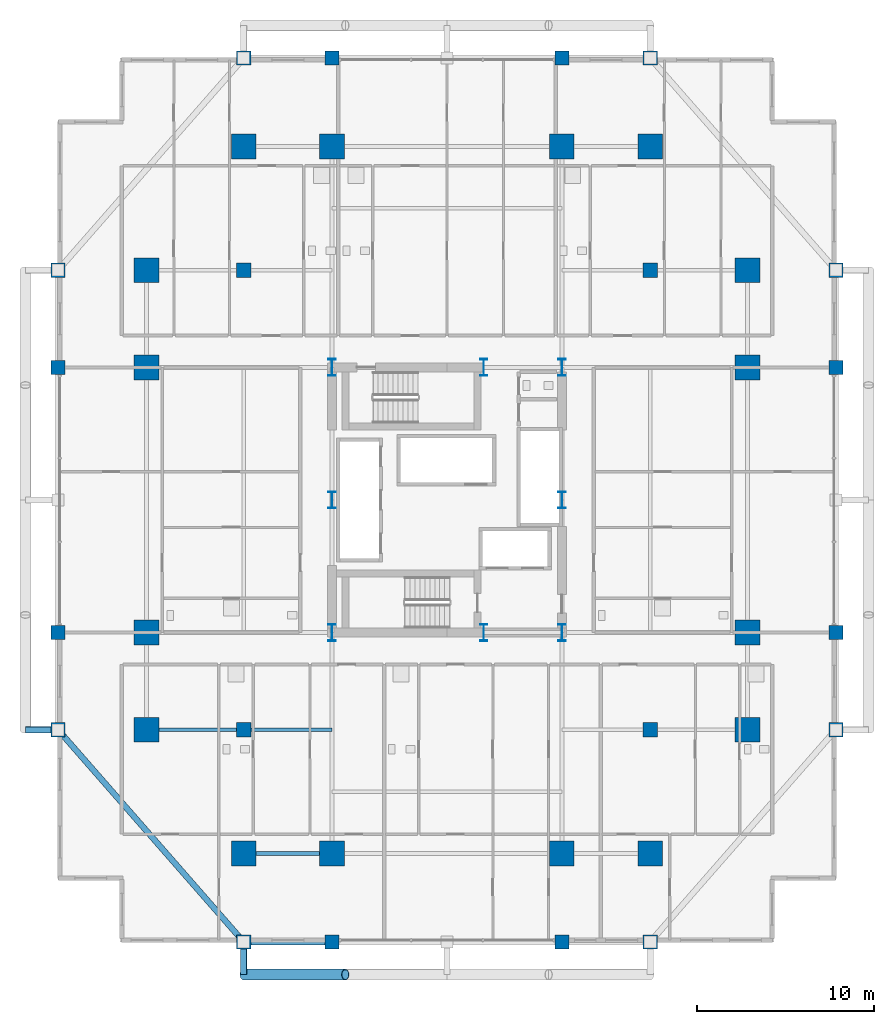
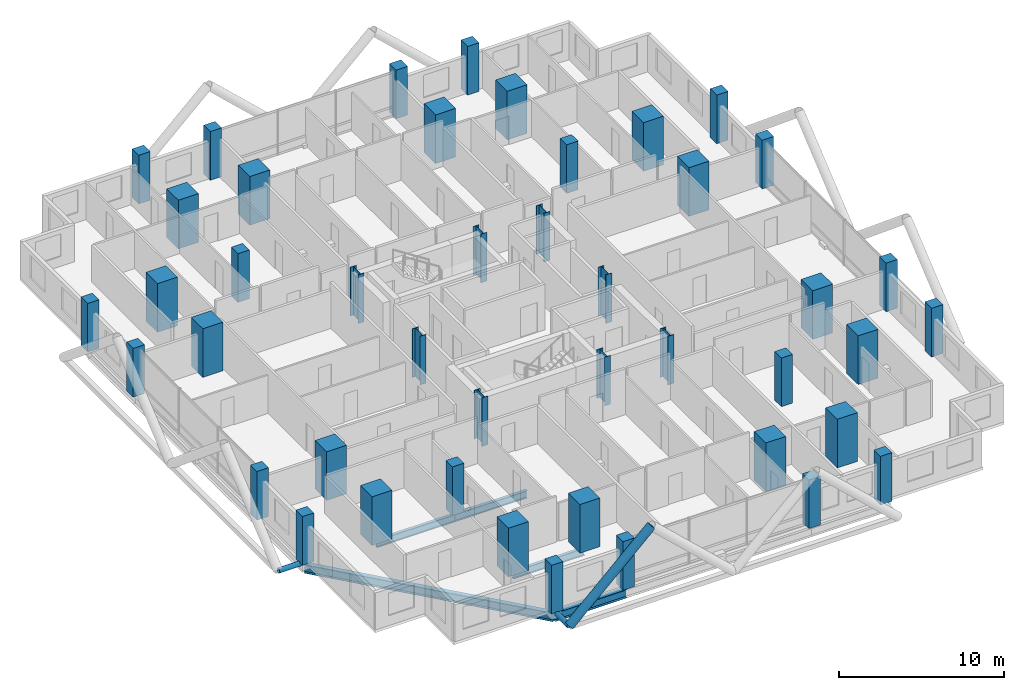
# One storey, part 1 of 28: 44 columns, 5 beams, 3 members.
"""IFC4 building model written with IfcOpenShell, lengths in metres."""

from ifc_helpers import new_model, si_unit, direction, frame, origin, origin_2d, place, context, subcontext, project, spatial, rectangle, hollow_circle, i_section, extrude, material, material_profile, profile_set, type_object, element, save


model = new_model("IFC4")

# Units and contexts
model_context = context("Model", 3, precision=1e-05, world=origin(), true_north=direction((0.0, 1.0)))
body_context = subcontext(model_context, "Body", "Model", "MODEL_VIEW")
ifc_project = project(units=[si_unit("LENGTHUNIT", "METRE"), si_unit("AREAUNIT", "SQUARE_METRE"), si_unit("VOLUMEUNIT", "CUBIC_METRE"), si_unit("PLANEANGLEUNIT", "RADIAN"), si_unit("MASSUNIT", "GRAM", prefix="KILO")], contexts=[model_context])

# Site, building, storey
site_placement = place(None, origin())
site = spatial("IfcSite", under=ifc_project, at=site_placement, CompositionType="ELEMENT")
building_placement = place(site_placement, origin())
building = spatial("IfcBuilding", under=site, at=building_placement, Name="Barlavira Tower and Art Museum", CompositionType="ELEMENT")
storey_placement = place(building_placement, frame((0.0, 0.0, 39.60009765625)))
storey = spatial("IfcBuildingStorey", under=building, at=storey_placement, Name="L08", CompositionType="ELEMENT", Elevation=39.60009765625)

# Columns
ifc_material_1 = material(Name="Steel S355", Category="steel")
ifc_material_profile_1 = material_profile(ifc_material_1, i_section(OverallWidth=0.419921875, OverallDepth=0.9599609375, WebThickness=0.02197265625, FlangeThickness=0.033935546875, at=origin_2d()), Name="W920x387.0")
ifc_profile_set_1 = profile_set([ifc_material_profile_1], Name="Steel S355")
column_type_1 = type_object("IfcColumnType", Name="Core Composite Column W920x387 Steel S355", PredefinedType="COLUMN", material=ifc_profile_set_1)
for number, where, z_axis, x_axis, name in (
    (1, (-6.5, -7.5, 0.0), (0.0, 0.0, 1.0), (1.0, 0.0, 0.0), "L08 Column CC-L08-C1"),
    (2, (2.080078125, -7.5, 0.0), (0.0, 0.0, 1.0), (1.0, 0.0, 0.0), "L08 Column CC-L08-C2"),
    (3, (6.5, -7.5, 0.0), (0.0, 0.0, 1.0), (1.0, 0.0, 0.0), "L08 Column CC-L08-C3"),
    (4, (-6.5, 0.0, 0.0), (0.0, 0.0, 1.0), (1.0, 0.0, 0.0), "L08 Column CC-L08-C4"),
    (5, (6.5, 0.0, 0.0), (0.0, 0.0, 1.0), (1.0, 0.0, 0.0), "L08 Column CC-L08-C5"),
    (6, (-6.5, 7.5, 0.0), (0.0, 0.0, 1.0), (1.0, 0.0, 0.0), "L08 Column CC-L08-C6"),
    (7, (2.080078125, 7.5, 0.0), (0.0, 0.0, 1.0), (1.0, 0.0, 0.0), "L08 Column CC-L08-C7"),
    (8, (6.5, 7.5, 0.0), (0.0, 0.0, 1.0), (1.0, 0.0, 0.0), "L08 Column CC-L08-C8"),
):
    element("IfcColumn", number, at=place(storey_placement, frame(where, z_axis=z_axis, x_axis=x_axis)), inside=storey, type_object=column_type_1, Name=name, PredefinedType="COLUMN", context=body_context, shape_type="SweptSolid", body=[
        extrude(i_section(OverallWidth=0.419921875, OverallDepth=0.9599609375, WebThickness=0.02197265625, FlangeThickness=0.033935546875, at=origin_2d()), origin(), (0.0, 0.0, 1.0), 3.599853515625),
    ])
ifc_material_2 = material(Name="Concrete C60", Category="concrete")
ifc_material_profile_2 = material_profile(ifc_material_2, rectangle(XDim=1.39990234375, YDim=1.39990234375, at=origin_2d()), Name="RC-MCOL 1400x1400")
ifc_profile_set_2 = profile_set([ifc_material_profile_2], Name="Concrete C60")
column_type_2 = type_object("IfcColumnType", Name="Perimeter Mega Column 1400x1400 Concrete C60", PredefinedType="USERDEFINED", material=ifc_profile_set_2)
for number, where, z_axis, x_axis, name in (
    (9, (-11.5, -20.0, 0.0), (0.0, 0.0, 1.0), (1.0, 0.0, 0.0), "L08 Column MC-L08-M01"),
    (10, (-6.5, -20.0, 0.0), (0.0, 0.0, 1.0), (1.0, 0.0, 0.0), "L08 Column MC-L08-M02"),
    (11, (6.5, -20.0, 0.0), (0.0, 0.0, 1.0), (1.0, 0.0, 0.0), "L08 Column MC-L08-M03"),
    (12, (11.5, -20.0, 0.0), (0.0, 0.0, 1.0), (1.0, 0.0, 0.0), "L08 Column MC-L08-M04"),
    (13, (17.0, -13.0, 0.0), (0.0, 0.0, 1.0), (1.0, 0.0, 0.0), "L08 Column MC-L08-M05"),
    (14, (17.0, -7.5, 0.0), (0.0, 0.0, 1.0), (1.0, 0.0, 0.0), "L08 Column MC-L08-M06"),
    (15, (17.0, 7.5, 0.0), (0.0, 0.0, 1.0), (1.0, 0.0, 0.0), "L08 Column MC-L08-M07"),
    (16, (17.0, 13.0, 0.0), (0.0, 0.0, 1.0), (1.0, 0.0, 0.0), "L08 Column MC-L08-M08"),
    (17, (11.5, 20.0, 0.0), (0.0, 0.0, 1.0), (1.0, 0.0, 0.0), "L08 Column MC-L08-M09"),
    (18, (6.5, 20.0, 0.0), (0.0, 0.0, 1.0), (1.0, 0.0, 0.0), "L08 Column MC-L08-M10"),
    (19, (-6.5, 20.0, 0.0), (0.0, 0.0, 1.0), (1.0, 0.0, 0.0), "L08 Column MC-L08-M11"),
    (20, (-11.5, 20.0, 0.0), (0.0, 0.0, 1.0), (1.0, 0.0, 0.0), "L08 Column MC-L08-M12"),
    (21, (-17.0, 13.0, 0.0), (0.0, 0.0, 1.0), (1.0, 0.0, 0.0), "L08 Column MC-L08-M13"),
    (22, (-17.0, 7.5, 0.0), (0.0, 0.0, 1.0), (1.0, 0.0, 0.0), "L08 Column MC-L08-M14"),
    (23, (-17.0, -7.5, 0.0), (0.0, 0.0, 1.0), (1.0, 0.0, 0.0), "L08 Column MC-L08-M15"),
    (24, (-17.0, -13.0, 0.0), (0.0, 0.0, 1.0), (1.0, 0.0, 0.0), "L08 Column MC-L08-M16"),
):
    element("IfcColumn", number, at=place(storey_placement, frame(where, z_axis=z_axis, x_axis=x_axis)), inside=storey, type_object=column_type_2, Name=name, ObjectType="MEGA COLUMN", PredefinedType="USERDEFINED", context=body_context, shape_type="SweptSolid", body=[
        extrude(rectangle(XDim=1.39990234375, YDim=1.39990234375, at=origin_2d()), origin(), (0.0, 0.0, 1.0), 3.599853515625),
    ])
ifc_material_3 = material(Name="Concrete C50", Category="concrete")
ifc_material_profile_3 = material_profile(ifc_material_3, rectangle(XDim=0.800048828125, YDim=0.800048828125, at=origin_2d()), Name="RC-COL 800x800")
ifc_profile_set_3 = profile_set([ifc_material_profile_3], Name="Concrete C50")
column_type_3 = type_object("IfcColumnType", Name="Podium Frame Column 800x800 Concrete C50", PredefinedType="COLUMN", material=ifc_profile_set_3)
for number, where, z_axis, x_axis, name in (
    (25, (-11.5, -13.0, 0.0), (0.0, 0.0, 1.0), (1.0, 0.0, 0.0), "L08 Column CI-L08-I1"),
    (26, (11.5, -13.0, 0.0), (0.0, 0.0, 1.0), (1.0, 0.0, 0.0), "L08 Column CI-L08-I2"),
    (27, (-11.5, 13.0, 0.0), (0.0, 0.0, 1.0), (1.0, 0.0, 0.0), "L08 Column CI-L08-I3"),
    (28, (11.5, 13.0, 0.0), (0.0, 0.0, 1.0), (1.0, 0.0, 0.0), "L08 Column CI-L08-I4"),
    (29, (-11.5, -25.0, 0.0), (0.0, 0.0, 1.0), (1.0, 0.0, 0.0), "L08 Column CZ1-L08-N01"),
    (30, (-6.5, -25.0, 0.0), (0.0, 0.0, 1.0), (1.0, 0.0, 0.0), "L08 Column CZ1-L08-N02"),
    (31, (6.5, -25.0, 0.0), (0.0, 0.0, 1.0), (1.0, 0.0, 0.0), "L08 Column CZ1-L08-N02B"),
    (32, (11.5, -25.0, 0.0), (0.0, 0.0, 1.0), (1.0, 0.0, 0.0), "L08 Column CZ1-L08-N03"),
    (33, (-22.0, -13.0, 0.0), (0.0, 0.0, 1.0), (1.0, 0.0, 0.0), "L08 Column CZ1-L08-N04"),
    (34, (-22.0, -7.5, 0.0), (0.0, 0.0, 1.0), (1.0, 0.0, 0.0), "L08 Column CZ1-L08-N05"),
    (35, (-22.0, 7.5, 0.0), (0.0, 0.0, 1.0), (1.0, 0.0, 0.0), "L08 Column CZ1-L08-N05B"),
    (36, (-22.0, 13.0, 0.0), (0.0, 0.0, 1.0), (1.0, 0.0, 0.0), "L08 Column CZ1-L08-N06"),
    (37, (-11.5, 25.0, 0.0), (0.0, 0.0, 1.0), (1.0, 0.0, 0.0), "L08 Column CZ1-L08-N07"),
    (38, (-6.5, 25.0, 0.0), (0.0, 0.0, 1.0), (1.0, 0.0, 0.0), "L08 Column CZ1-L08-N08"),
    (39, (6.5, 25.0, 0.0), (0.0, 0.0, 1.0), (1.0, 0.0, 0.0), "L08 Column CZ1-L08-N08B"),
    (40, (11.5, 25.0, 0.0), (0.0, 0.0, 1.0), (1.0, 0.0, 0.0), "L08 Column CZ1-L08-N09"),
    (41, (22.0, -13.0, 0.0), (0.0, 0.0, 1.0), (1.0, 0.0, 0.0), "L08 Column CZ1-L08-N10"),
    (42, (22.0, -7.5, 0.0), (0.0, 0.0, 1.0), (1.0, 0.0, 0.0), "L08 Column CZ1-L08-N11"),
    (43, (22.0, 7.5, 0.0), (0.0, 0.0, 1.0), (1.0, 0.0, 0.0), "L08 Column CZ1-L08-N11B"),
    (44, (22.0, 13.0, 0.0), (0.0, 0.0, 1.0), (1.0, 0.0, 0.0), "L08 Column CZ1-L08-N12"),
):
    element("IfcColumn", number, at=place(storey_placement, frame(where, z_axis=z_axis, x_axis=x_axis)), inside=storey, type_object=column_type_3, Name=name, PredefinedType="COLUMN", context=body_context, shape_type="SweptSolid", body=[
        extrude(rectangle(XDim=0.800048828125, YDim=0.800048828125, at=origin_2d()), origin(), (0.0, 0.0, 1.0), 3.599853515625),
    ])

# Members
ifc_material_profile_4 = material_profile(ifc_material_1, hollow_circle(Radius=0.304931640625, WallThickness=0.028076171875, at=origin_2d()), Name="CHS 610.0x28.0")
ifc_profile_set_4 = profile_set([ifc_material_profile_4], Name="Steel S355")
member_type_1 = type_object("IfcMemberType", Name="Pale-Metal Exoskeleton Diagrid Tube CHS 610x28 Steel S355", PredefinedType="BRACE", material=ifc_profile_set_4)
member_placement = place(storey_placement, frame((-11.5, -26.85009765625, -0.1201171875), z_axis=(0.728950095515, 0.0, 0.684566839869), x_axis=(0.0, 1.0, 0.0)))
element("IfcMember", 45, at=member_placement, inside=storey, type_object=member_type_1, Name="L08 Exoskeleton Diagrid Tube S", PredefinedType="BRACE", context=body_context, shape_type="SweptSolid", body=[
    extrude(hollow_circle(Radius=0.304931640625, WallThickness=0.028076171875, at=origin_2d()), origin(), (0.0, 0.0, 1.0), 7.887939453125),
])
ifc_material_profile_5 = material_profile(ifc_material_1, hollow_circle(Radius=0.177734375, WallThickness=0.01611328125, at=origin_2d()), Name="CHS 355.6x16.0")
ifc_profile_set_5 = profile_set([ifc_material_profile_5], Name="Steel S355")
member_type_2 = type_object("IfcMemberType", Name="Pale-Metal Exoskeleton Tie Strut CHS 356x16 Steel S355", PredefinedType="STRUT", material=ifc_profile_set_5)
for number, where, z_axis, x_axis, name in (
    (46, (-11.5, -26.85009765625, -0.1201171875), (0.0, 1.0, 0.0), (-1.0, 0.0, 0.0), "L08 Exoskeleton Tie Strut S1"),
    (47, (-23.85009765625, -13.0, -0.1201171875), (1.0, 0.0, 0.0), (0.0, 1.0, 0.0), "L08 Exoskeleton Tie Strut W1"),
):
    element("IfcMember", number, at=place(storey_placement, frame(where, z_axis=z_axis, x_axis=x_axis)), inside=storey, type_object=member_type_2, Name=name, PredefinedType="STRUT", context=body_context, shape_type="SweptSolid", body=[
        extrude(hollow_circle(Radius=0.177734375, WallThickness=0.01611328125, at=origin_2d()), origin(), (0.0, 0.0, 1.0), 1.85009765625),
    ])

# Beams
ifc_material_profile_6 = material_profile(ifc_material_1, i_section(OverallWidth=0.327880859375, OverallDepth=0.62890625, WebThickness=0.013916015625, FlangeThickness=0.021484375, at=origin_2d()), Name="W610x174.0")
ifc_profile_set_6 = profile_set([ifc_material_profile_6], Name="Steel S355")
beam_type_1 = type_object("IfcBeamType", Name="Perimeter Spandrel Edge Beam W610x174 Steel S355", PredefinedType="SPANDREL", material=ifc_profile_set_6)
beam_1_placement = place(storey_placement, frame((-11.5, -25.0, -0.53466796875), z_axis=(1.0, 0.0, 0.0), x_axis=(0.0, 1.0, 0.0)))
element("IfcBeam", 48, at=beam_1_placement, inside=storey, type_object=beam_type_1, Name="L08 Spandrel 1", PredefinedType="SPANDREL", context=body_context, shape_type="SweptSolid", body=[
    extrude(i_section(OverallWidth=0.327880859375, OverallDepth=0.62890625, WebThickness=0.013916015625, FlangeThickness=0.021484375, at=origin_2d()), origin(), (0.0, 0.0, 1.0), 5.0),
])
beam_2_placement = place(storey_placement, frame((-22.0, -13.0, -0.53466796875), z_axis=(0.658504607869, -0.752576694707, 0.0), x_axis=(0.752576694707, 0.658504607869, 0.0)))
element("IfcBeam", 49, at=beam_2_placement, inside=storey, type_object=beam_type_1, Name="L08 Spandrel 16", PredefinedType="SPANDREL", context=body_context, shape_type="SweptSolid", body=[
    extrude(i_section(OverallWidth=0.327880859375, OverallDepth=0.62890625, WebThickness=0.013916015625, FlangeThickness=0.021484375, at=origin_2d()), origin(), (0.0, 0.0, 1.0), 15.9453125),
])
ifc_material_profile_7 = material_profile(ifc_material_1, i_section(OverallWidth=0.214111328125, OverallDepth=0.549072265625, WebThickness=0.0146484375, FlangeThickness=0.023681640625, at=origin_2d()), Name="W530x138.0")
ifc_profile_set_7 = profile_set([ifc_material_profile_7], Name="Steel S355")
beam_type_2 = type_object("IfcBeamType", Name="Zone 1 Primary Floor Girder W530x138 Steel S355", PredefinedType="BEAM", material=ifc_profile_set_7)
beam_3_placement = place(storey_placement, frame((-11.5, -20.0, -0.49462890625), z_axis=(1.0, 0.0, 0.0), x_axis=(0.0, 1.0, 0.0)))
element("IfcBeam", 50, at=beam_3_placement, inside=storey, type_object=beam_type_2, Name="L08 Girder M-S1", PredefinedType="BEAM", context=body_context, shape_type="SweptSolid", body=[
    extrude(i_section(OverallWidth=0.214111328125, OverallDepth=0.549072265625, WebThickness=0.0146484375, FlangeThickness=0.023681640625, at=origin_2d()), origin(), (0.0, 0.0, 1.0), 5.0),
])
beam_4_placement = place(storey_placement, frame((-17.0, -13.0, -0.49462890625), z_axis=(1.0, 0.0, 0.0), x_axis=(0.0, 1.0, 0.0)))
element("IfcBeam", 51, at=beam_4_placement, inside=storey, type_object=beam_type_2, Name="L08 Girder I-S1", PredefinedType="BEAM", context=body_context, shape_type="SweptSolid", body=[
    extrude(i_section(OverallWidth=0.214111328125, OverallDepth=0.549072265625, WebThickness=0.0146484375, FlangeThickness=0.023681640625, at=origin_2d()), origin(), (0.0, 0.0, 1.0), 5.5),
])
beam_5_placement = place(storey_placement, frame((-11.5, -13.0, -0.49462890625), z_axis=(1.0, 0.0, 0.0), x_axis=(0.0, 1.0, 0.0)))
element("IfcBeam", 52, at=beam_5_placement, inside=storey, type_object=beam_type_2, Name="L08 Girder I-S2", PredefinedType="BEAM", context=body_context, shape_type="SweptSolid", body=[
    extrude(i_section(OverallWidth=0.214111328125, OverallDepth=0.549072265625, WebThickness=0.0146484375, FlangeThickness=0.023681640625, at=origin_2d()), origin(), (0.0, 0.0, 1.0), 5.0),
])

save(model, "model.ifc")
